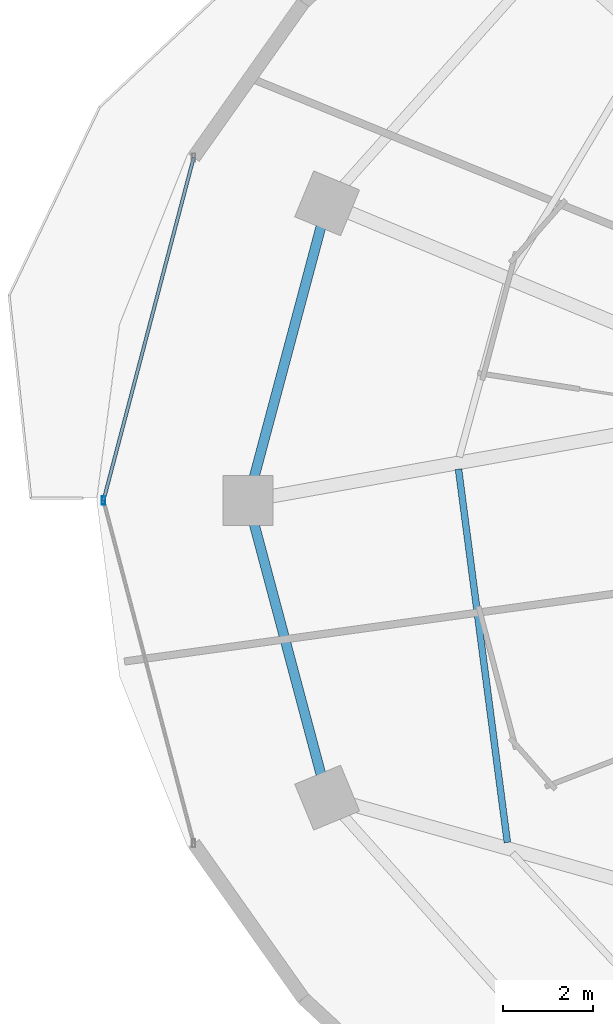
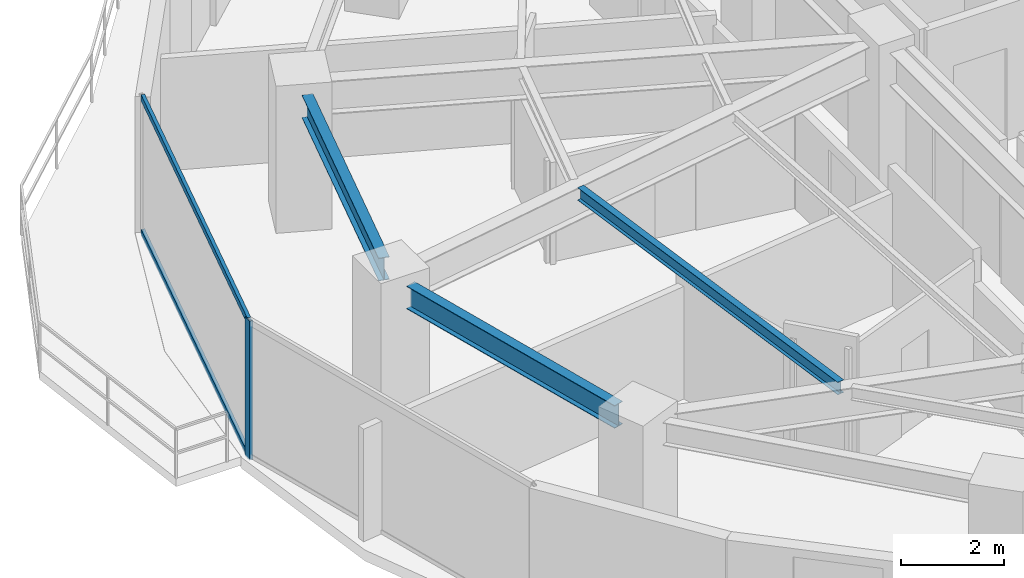
# One storey, part 6 of 30: 3 beams, 3 members, 1 element without a shape of its own.
"""IFC4 building model written with IfcOpenShell, lengths in metres."""

from ifc_helpers import new_model, si_unit, direction, frame, origin, origin_2d, place, context, subcontext, project, spatial, hollow_rectangle, i_section, extrude, material, material_profile, profile_set, type_object, element, aggregate, save


model = new_model("IFC4")

# Units and contexts
model_context = context("Model", 3, precision=1e-05, world=origin(), true_north=direction((0.0, 1.0)))
body_context = subcontext(model_context, "Body", "Model", "MODEL_VIEW")
ifc_project = project(units=[si_unit("LENGTHUNIT", "METRE"), si_unit("AREAUNIT", "SQUARE_METRE"), si_unit("VOLUMEUNIT", "CUBIC_METRE"), si_unit("PLANEANGLEUNIT", "RADIAN"), si_unit("MASSUNIT", "GRAM", prefix="KILO")], contexts=[model_context])

# Site, building, storey
site_placement = place(None, origin())
site = spatial("IfcSite", under=ifc_project, at=site_placement, CompositionType="ELEMENT")
building_placement = place(site_placement, origin())
building = spatial("IfcBuilding", under=site, at=building_placement, Name="Vorneva Point Tower", CompositionType="ELEMENT")
storey_placement = place(building_placement, frame((0.0, 0.0, 89.300048828125)))
storey = spatial("IfcBuildingStorey", under=building, at=storey_placement, Name="L23", CompositionType="ELEMENT", Elevation=89.300048828125)

# Beams
ifc_material_1 = material(Name="Steel S355", Category="steel")
ifc_material_profile_1 = material_profile(ifc_material_1, i_section(OverallWidth=0.14892578125, OverallDepth=0.298095703125, WebThickness=0.005615234375, FlangeThickness=0.008056640625, at=origin_2d()), Name="30B1")
ifc_profile_set_1 = profile_set([ifc_material_profile_1], Name="Steel S355")
beam_type_1 = type_object("IfcBeamType", Name="BM-JST-30B1", PredefinedType="JOIST", material=ifc_profile_set_1)
beam_placement = place(storey_placement, frame((19.614501953125, 26.694091796875, 3.091064453125), z_axis=(0.129791026269, -0.991541370544, 0.0), x_axis=(0.991541370544, 0.129791026269, 0.0)))
element("IfcBeam", 1, at=beam_placement, inside=storey, type_object=beam_type_1, Name="L23 Secondary Floor Beam 1.09", PredefinedType="JOIST", context=body_context, shape_type="SweptSolid", body=[
    extrude(i_section(OverallWidth=0.14892578125, OverallDepth=0.298095703125, WebThickness=0.005615234375, FlangeThickness=0.008056640625, at=origin_2d()), origin(), (0.0, 0.0, 1.0), 8.338623046875),
])
ifc_material_profile_2 = material_profile(ifc_material_1, i_section(OverallWidth=0.219970703125, OverallDepth=0.54296875, WebThickness=0.009521484375, FlangeThickness=0.013427734375, at=origin_2d()), Name="55B1")
ifc_profile_set_2 = profile_set([ifc_material_profile_2], Name="Steel S355")
beam_type_2 = type_object("IfcBeamType", Name="BM-SPN-55B1", PredefinedType="SPANDREL", material=ifc_profile_set_2)
for number, where, z_axis, x_axis, name in (
    (2, (16.56689453125, 32.065185546875, 2.968505859375), (-0.257572674071, -0.966258928845, 0.0), (0.966258928845, -0.257572674071, 0.0), "L23 Perimeter Spandrel Ring Beam 08"),
    (3, (15.087890625, 25.483154296875, 2.968505859375), (0.257572674071, -0.966258928845, 0.0), (0.966258928845, 0.257572674071, 0.0), "L23 Perimeter Spandrel Ring Beam 09"),
):
    element("IfcBeam", number, at=place(storey_placement, frame(where, z_axis=z_axis, x_axis=x_axis)), inside=storey, type_object=beam_type_2, Name=name, PredefinedType="SPANDREL", context=body_context, shape_type="SweptSolid", body=[
        extrude(i_section(OverallWidth=0.219970703125, OverallDepth=0.54296875, WebThickness=0.009521484375, FlangeThickness=0.013427734375, at=origin_2d()), origin(), (0.0, 0.0, 1.0), 5.7421875),
    ])

# Curtain wall, members
ifc_material_2 = material(Name="Pale anodised aluminium", Category="aluminium")
curtain_wall_type = type_object("IfcCurtainWallType", Name="CW-HTL-SYS", PredefinedType="NOTDEFINED", material=ifc_material_2)
curtain_wall_placement = place(storey_placement, origin())
curtain_wall = element("IfcCurtainWall", 4, at=curtain_wall_placement, inside=storey, type_object=curtain_wall_type, Name="L23 Unitised Curtain Wall CW-L23-R03", PredefinedType="NOTDEFINED")
ifc_material_profile_3 = material_profile(ifc_material_2, hollow_rectangle(XDim=0.074951171875, YDim=0.179931640625, WallThickness=0.00390625, at=origin_2d()), Name="AL-MUL 180x75x4")
ifc_profile_set_3 = profile_set([ifc_material_profile_3], Name="Pale anodised aluminium")
member_type_1 = type_object("IfcMemberType", Name="CW-MUL-180", PredefinedType="MULLION", material=ifc_profile_set_3)
member_1_placement = place(storey_placement, frame((11.75, 26.0, -0.0400390625), z_axis=(0.0, 0.0, 1.0), x_axis=(1.0, 0.0, 0.0)))
member_1 = element("IfcMember", 5, at=member_1_placement, type_object=member_type_1, Name="CW-L23-R03 Mullion 02", PredefinedType="MULLION", context=body_context, shape_type="SweptSolid", body=[
    extrude(hollow_rectangle(XDim=0.074951171875, YDim=0.179931640625, WallThickness=0.00390625, at=origin_2d()), origin(), (0.0, 0.0, 1.0), 3.31005859375),
])
ifc_material_profile_4 = material_profile(ifc_material_2, hollow_rectangle(XDim=0.074951171875, YDim=0.14990234375, WallThickness=0.00390625, at=origin_2d()), Name="AL-TRN 150x75x4")
ifc_profile_set_4 = profile_set([ifc_material_profile_4], Name="Pale anodised aluminium")
member_type_2 = type_object("IfcMemberType", Name="CW-TRN-150", PredefinedType="USERDEFINED", material=ifc_profile_set_4)
member_2_placement = place(storey_placement, frame((13.748291015625, 33.59619140625, 0.02001953125), z_axis=(-0.254409150465, -0.967096677773, 0.0), x_axis=(0.967096677773, -0.254409150465, 0.0)))
member_2 = element("IfcMember", 6, at=member_2_placement, type_object=member_type_2, Name="CW-L23-R03 Transom 01.1", ObjectType="TRANSOM", PredefinedType="USERDEFINED", context=body_context, shape_type="SweptSolid", body=[
    extrude(hollow_rectangle(XDim=0.074951171875, YDim=0.14990234375, WallThickness=0.00390625, at=origin_2d()), origin(), (0.0, 0.0, 1.0), 7.854736328125),
])
member_3_placement = place(storey_placement, frame((13.748291015625, 33.59619140625, 3.219970703125), z_axis=(-0.254409150465, -0.967096677773, 0.0), x_axis=(0.967096677773, -0.254409150465, 0.0)))
member_3 = element("IfcMember", 7, at=member_3_placement, type_object=member_type_2, Name="CW-L23-R03 Transom 01.2", ObjectType="TRANSOM", PredefinedType="USERDEFINED", context=body_context, shape_type="SweptSolid", body=[
    extrude(hollow_rectangle(XDim=0.074951171875, YDim=0.14990234375, WallThickness=0.00390625, at=origin_2d()), origin(), (0.0, 0.0, 1.0), 7.854736328125),
])
aggregate(curtain_wall, [member_1, member_2, member_3])

save(model, "model.ifc")
